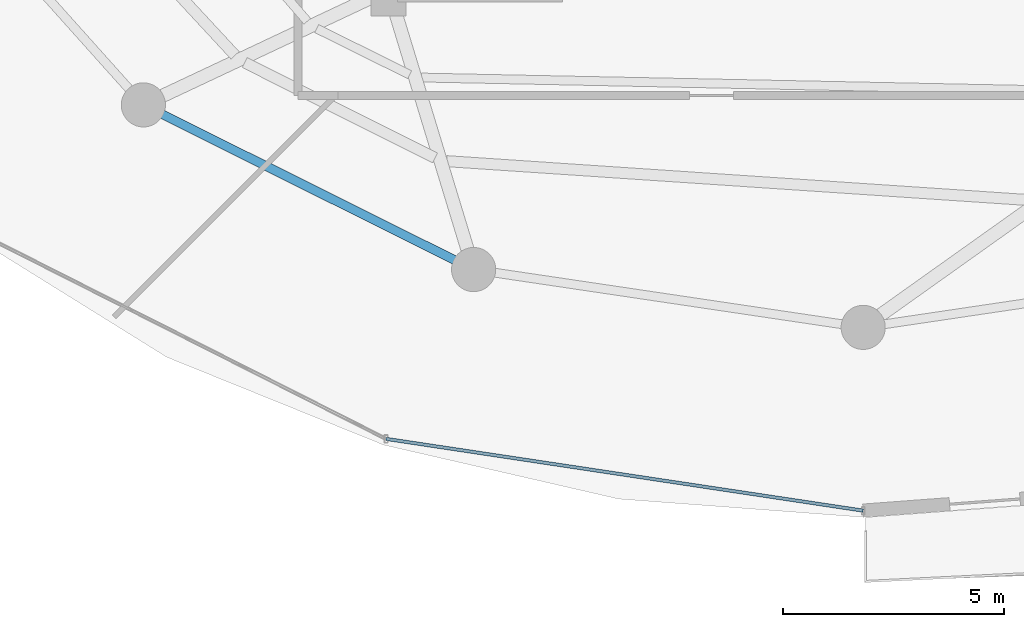
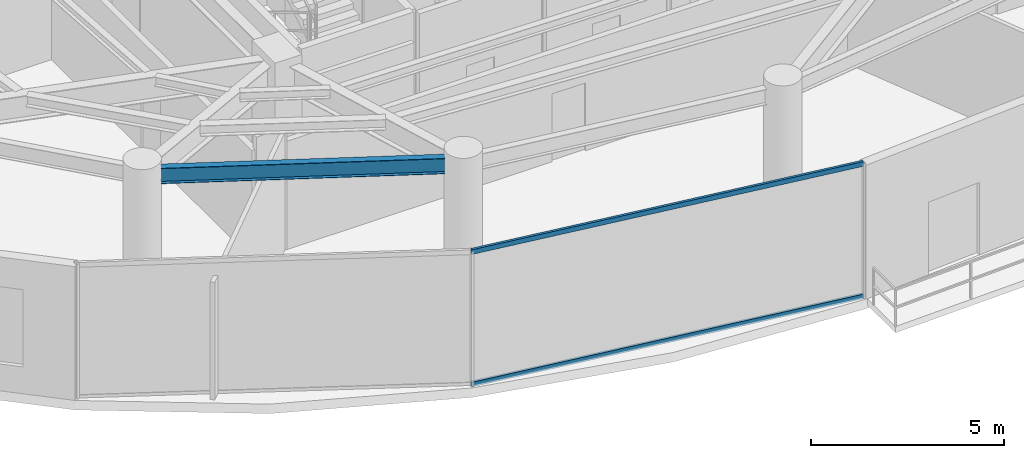
# One storey, part 4 of 31: 2 members, 1 beam, 1 element without a shape of its own.
"""IFC4 building model written with IfcOpenShell, lengths in metres."""

import ifcopenshell
import ifcopenshell.guid

model = None  # the IFC model being written
_history = None  # IfcOwnerHistory: only IFC2X3 demands one
_inside = {}  # id of a spatial element -> (the spatial element, [elements in it])
_under = {}  # id of a project, library or spatial element -> (it, [spatial elements below it])
_declared = {}  # id of a project -> (the project, [libraries it declares])
_typed = {}  # id of a type object -> (the type object, [elements of that type])
_made_of = {}  # id of a material, layer set ... -> (it, [elements and type objects made of it])


def new_model(schema):
    """Start an empty IFC model of exactly this schema.

    Asked for "IFC4X3", IfcOpenShell would pick the latest addendum, in which some entities
    have other attributes; the version numbers below select the first issue.
    IFC2X3 requires an IfcOwnerHistory on every rooted entity: one is made here for all.
    """
    global model, _history
    if schema == "IFC4X3":
        model = ifcopenshell.file(schema_version=(4, 3, 0, 0))
    else:
        model = ifcopenshell.file(schema=schema)
    _inside.clear()
    _under.clear()
    _declared.clear()
    _typed.clear()
    _made_of.clear()
    _history = None
    if model.schema == "IFC2X3":
        org = make("IfcOrganization", Name="unknown")
        user = make(
            "IfcPersonAndOrganization",
            ThePerson=make("IfcPerson", FamilyName="unknown"),
            TheOrganization=org,
        )
        app = make(
            "IfcApplication",
            ApplicationDeveloper=org,
            Version="unknown",
            ApplicationFullName="unknown",
            ApplicationIdentifier="unknown",
        )
        _history = make(
            "IfcOwnerHistory",
            OwningUser=user,
            OwningApplication=app,
            ChangeAction="ADDED",
            CreationDate=0,
        )
    return model


def make(cls, **values):
    """One entity of the class cls with the attributes given. An attribute that is None is left unset."""
    return model.create_entity(
        cls, **{name: value for name, value in values.items() if value is not None}
    )


def rooted(cls, **values):
    """An entity with a GlobalId (a new one), such as an element, a storey or a relation."""
    return make(cls, GlobalId=ifcopenshell.guid.new(), OwnerHistory=_history, **values)


def si_unit(unit_type, name, prefix=None):
    """IfcSIUnit, for example si_unit("LENGTHUNIT", "METRE", prefix="MILLI")."""
    return make("IfcSIUnit", UnitType=unit_type, Prefix=prefix, Name=name)


def assignment(units):
    """IfcUnitAssignment: the units of a project."""
    return None if units is None else make("IfcUnitAssignment", Units=units)


def point(xyz):
    """IfcCartesianPoint."""
    return None if xyz is None else make("IfcCartesianPoint", Coordinates=xyz)


def direction(xyz):
    """IfcDirection."""
    return None if xyz is None else make("IfcDirection", DirectionRatios=xyz)


def frame(location, z_axis=None, x_axis=None):
    """IfcAxis2Placement3D, a coordinate frame: its origin and axes. An axis left out is left unset."""
    return make(
        "IfcAxis2Placement3D",
        Location=point(location),
        Axis=direction(z_axis),
        RefDirection=direction(x_axis),
    )


def frame_2d(location, x_axis=None):
    """IfcAxis2Placement2D, a coordinate frame in the plane: its origin and x axis."""
    return make(
        "IfcAxis2Placement2D", Location=point(location), RefDirection=direction(x_axis)
    )


def origin():
    """The frame at (0, 0, 0) with its axes left unset."""
    return frame((0.0, 0.0, 0.0))


def origin_2d():
    """The frame at (0, 0) in the plane with its x axis left unset."""
    return frame_2d((0.0, 0.0))


def place(relative_to, where):
    """IfcLocalPlacement: puts the frame where relative to a parent placement (None: the world)."""
    return make(
        "IfcLocalPlacement", PlacementRelTo=relative_to, RelativePlacement=where
    )


def context(
    kind, dimensions, precision=None, world=None, true_north=None, identifier=None
):
    """IfcGeometricRepresentationContext, for example the 3D "Model" context."""
    return make(
        "IfcGeometricRepresentationContext",
        ContextIdentifier=identifier,
        ContextType=kind,
        CoordinateSpaceDimension=dimensions,
        Precision=precision,
        WorldCoordinateSystem=world,
        TrueNorth=true_north,
    )


def subcontext(parent, identifier, kind, view, scale=None):
    """IfcGeometricRepresentationSubContext, for example "Body" below "Model"."""
    return make(
        "IfcGeometricRepresentationSubContext",
        ContextIdentifier=identifier,
        ContextType=kind,
        ParentContext=parent,
        TargetScale=scale,
        TargetView=view,
    )


def project(units=None, contexts=None):
    """IfcProject with its units and contexts."""
    return rooted(
        "IfcProject",
        Name="project",
        RepresentationContexts=contexts,
        UnitsInContext=assignment(units),
    )


def spatial(cls, under=None, at=None, **own):
    """A site, building, storey or space (cls), placed at a placement, below another one or the project."""
    s = rooted(cls, ObjectPlacement=at, **own)
    if under is not None:
        _under.setdefault(under.id(), (under, []))[1].append(s)
    return s


def profile(cls, at=None, kind="AREA", **sizes):
    """A parametric profile (cls). Its sizes go by their IFC names, for example OverallWidth=200.0."""
    return make(cls, ProfileType=kind, Position=at, **sizes)


def hollow_rectangle(**sizes):
    """IfcRectangleHollowProfileDef."""
    return profile("IfcRectangleHollowProfileDef", **sizes)


def i_section(**sizes):
    """IfcIShapeProfileDef."""
    return profile("IfcIShapeProfileDef", **sizes)


def extrude(swept, where, along, depth):
    """IfcExtrudedAreaSolid: the profile swept, set in the frame where, extruded along a direction by depth."""
    return make(
        "IfcExtrudedAreaSolid",
        SweptArea=swept,
        Position=where,
        ExtrudedDirection=direction(along),
        Depth=depth,
    )


def shape(context_of_items, identifier, shape_type, items):
    """IfcShapeRepresentation: the items that make up one representation, for example the "Body"."""
    return make(
        "IfcShapeRepresentation",
        ContextOfItems=context_of_items,
        RepresentationIdentifier=identifier,
        RepresentationType=shape_type,
        Items=items,
    )


def material(Name=None, Category=None):
    """IfcMaterial."""
    return make("IfcMaterial", Name=Name, Category=Category)


def material_profile(
    of_material, cross_section, Name=None, Category=None, Priority=None
):
    """IfcMaterialProfile: a cross section and its material."""
    return make(
        "IfcMaterialProfile",
        Name=Name,
        Material=of_material,
        Profile=cross_section,
        Priority=Priority,
        Category=Category,
    )


def profile_set(profiles, Name=None, composite=None):
    """IfcMaterialProfileSet."""
    return make(
        "IfcMaterialProfileSet",
        Name=Name,
        MaterialProfiles=profiles,
        CompositeProfile=composite,
    )


def made_of(thing, what):
    """Note that an element or type object is made of a material, layer set ...; save() writes the relation."""
    if what is not None:
        _made_of.setdefault(what.id(), (what, []))[1].append(thing)
    return thing


def type_object(cls, material=None, **own):
    """A type object (cls), such as IfcWallType, which elements share."""
    return made_of(rooted(cls, **own), material)


def element(
    cls,
    number,
    at=None,
    inside=None,
    cuts=None,
    type_object=None,
    material=None,
    context=None,
    identifier="Body",
    shape_type=None,
    held_by="IfcProductDefinitionShape",
    body=None,
    shapes=None,
    **own,
):
    """One element of the class cls, such as IfcWall. Its Tag is "e" and its number.

    at: its placement. inside: the storey or other place that contains it. cuts: it is an
    opening in that element (IfcRelVoidsElement). A single representation is given by context,
    identifier, shape_type and body (its items); several are given by shapes. held_by: the class
    of the entity that holds the representations. save() writes the other relations.
    """
    e = rooted(cls, Tag="e%d" % number, ObjectPlacement=at, **own)
    if body is not None:
        shapes = [shape(context, identifier, shape_type, body)]
    if shapes is not None:
        e.Representation = make(held_by, Representations=shapes)
    if inside is not None:
        _inside.setdefault(inside.id(), (inside, []))[1].append(e)
    if cuts is not None:
        rooted(
            "IfcRelVoidsElement", RelatingBuildingElement=cuts, RelatedOpeningElement=e
        )
    if type_object is not None:
        _typed.setdefault(type_object.id(), (type_object, []))[1].append(e)
    return made_of(e, material)


def aggregate(whole, parts):
    """IfcRelAggregates: a whole, such as a stair, and the parts it consists of."""
    return rooted("IfcRelAggregates", RelatingObject=whole, RelatedObjects=parts)


def save(model, path):
    """Write the relations noted so far, then the file.

    IfcRelAggregates (storeys below a building ...), IfcRelContainedInSpatialStructure (elements
    in a storey), IfcRelDefinesByType, IfcRelAssociatesMaterial and IfcRelDeclares: one each for
    every whole, place, type object, material and project.
    """
    for whole, parts in _under.values():
        aggregate(whole, parts)
    for where, things in _inside.values():
        rooted(
            "IfcRelContainedInSpatialStructure",
            RelatedElements=things,
            RelatingStructure=where,
        )
    for kind, things in _typed.values():
        rooted("IfcRelDefinesByType", RelatedObjects=things, RelatingType=kind)
    for what, things in _made_of.values():
        rooted("IfcRelAssociatesMaterial", RelatedObjects=things, RelatingMaterial=what)
    for by, libraries in _declared.values():
        rooted("IfcRelDeclares", RelatingContext=by, RelatedDefinitions=libraries)
    model.write(path)


model = new_model("IFC4")

# Units and contexts
model_context = context("Model", 3, precision=1e-05, world=origin(), true_north=direction((0.0, 1.0)))
body_context = subcontext(model_context, "Body", "Model", "MODEL_VIEW")
ifc_project = project(units=[si_unit("LENGTHUNIT", "METRE"), si_unit("AREAUNIT", "SQUARE_METRE"), si_unit("VOLUMEUNIT", "CUBIC_METRE"), si_unit("PLANEANGLEUNIT", "RADIAN"), si_unit("MASSUNIT", "GRAM", prefix="KILO")], contexts=[model_context])

# Site, building, storey
site_placement = place(None, origin())
site = spatial("IfcSite", under=ifc_project, at=site_placement, CompositionType="ELEMENT")
building_placement = place(site_placement, origin())
building = spatial("IfcBuilding", under=site, at=building_placement, Name="Vorneva Point Tower", CompositionType="ELEMENT")
storey_placement = place(building_placement, frame((0.0, 0.0, 174.60009765625)))
storey = spatial("IfcBuildingStorey", under=building, at=storey_placement, Name="L47", CompositionType="ELEMENT", Elevation=174.60009765625)

# Beam
ifc_material_1 = material(Name="Steel S355", Category="steel")
ifc_material_profile_1 = material_profile(ifc_material_1, i_section(OverallWidth=0.199951171875, OverallDepth=0.491943359375, WebThickness=0.0087890625, FlangeThickness=0.011962890625, at=origin_2d()), Name="50B1")
ifc_profile_set_1 = profile_set([ifc_material_profile_1], Name="Steel S355")
beam_type = type_object("IfcBeamType", Name="BM-SPN-50B1", PredefinedType="SPANDREL", material=ifc_profile_set_1)
beam_placement = place(storey_placement, frame((22.13525390625, 13.621337890625, 3.993896484375), z_axis=(0.894929061397, -0.446208443518, 0.0), x_axis=(0.446208443518, 0.894929061397, 0.0)))
element("IfcBeam", 1, at=beam_placement, inside=storey, type_object=beam_type, Name="L47 Perimeter Spandrel Ring Beam 11", PredefinedType="SPANDREL", context=body_context, shape_type="SweptSolid", body=[
    extrude(i_section(OverallWidth=0.199951171875, OverallDepth=0.491943359375, WebThickness=0.0087890625, FlangeThickness=0.011962890625, at=origin_2d()), origin(), (0.0, 0.0, 1.0), 7.385986328125),
])

# Curtain wall, members
ifc_material_2 = material(Name="Pale anodised aluminium", Category="aluminium")
curtain_wall_type = type_object("IfcCurtainWallType", Name="CW-SKY-SYS", PredefinedType="NOTDEFINED", material=ifc_material_2)
curtain_wall_placement = place(storey_placement, origin())
curtain_wall = element("IfcCurtainWall", 2, at=curtain_wall_placement, inside=storey, type_object=curtain_wall_type, Name="L47 Unitised Curtain Wall CW-L47-R04", PredefinedType="NOTDEFINED")
ifc_material_profile_2 = material_profile(ifc_material_2, hollow_rectangle(XDim=0.074951171875, YDim=0.14990234375, WallThickness=0.00390625, at=origin_2d()), Name="AL-TRN 150x75x4")
ifc_profile_set_2 = profile_set([ifc_material_profile_2], Name="Pale anodised aluminium")
member_type = type_object("IfcMemberType", Name="CW-TRN-150", PredefinedType="USERDEFINED", material=ifc_profile_set_2)
member_1_placement = place(storey_placement, frame((27.19677734375, 6.275146484375, 0.02001953125), z_axis=(0.988872333273, -0.148766624239, 0.0), x_axis=(0.148766624239, 0.988872333273, 0.0)))
member_1 = element("IfcMember", 3, at=member_1_placement, type_object=member_type, Name="CW-L47-R04 Transom 02.1", ObjectType="TRANSOM", PredefinedType="USERDEFINED", context=body_context, shape_type="SweptSolid", body=[
    extrude(hollow_rectangle(XDim=0.074951171875, YDim=0.14990234375, WallThickness=0.00390625, at=origin_2d()), origin(), (0.0, 0.0, 1.0), 10.9248046875),
])
member_2_placement = place(storey_placement, frame((27.19677734375, 6.275146484375, 4.219970703125), z_axis=(0.988872333273, -0.148766624239, 0.0), x_axis=(0.148766624239, 0.988872333273, 0.0)))
member_2 = element("IfcMember", 4, at=member_2_placement, type_object=member_type, Name="CW-L47-R04 Transom 02.2", ObjectType="TRANSOM", PredefinedType="USERDEFINED", context=body_context, shape_type="SweptSolid", body=[
    extrude(hollow_rectangle(XDim=0.074951171875, YDim=0.14990234375, WallThickness=0.00390625, at=origin_2d()), origin(), (0.0, 0.0, 1.0), 10.9248046875),
])
aggregate(curtain_wall, [member_1, member_2])

save(model, "model.ifc")
